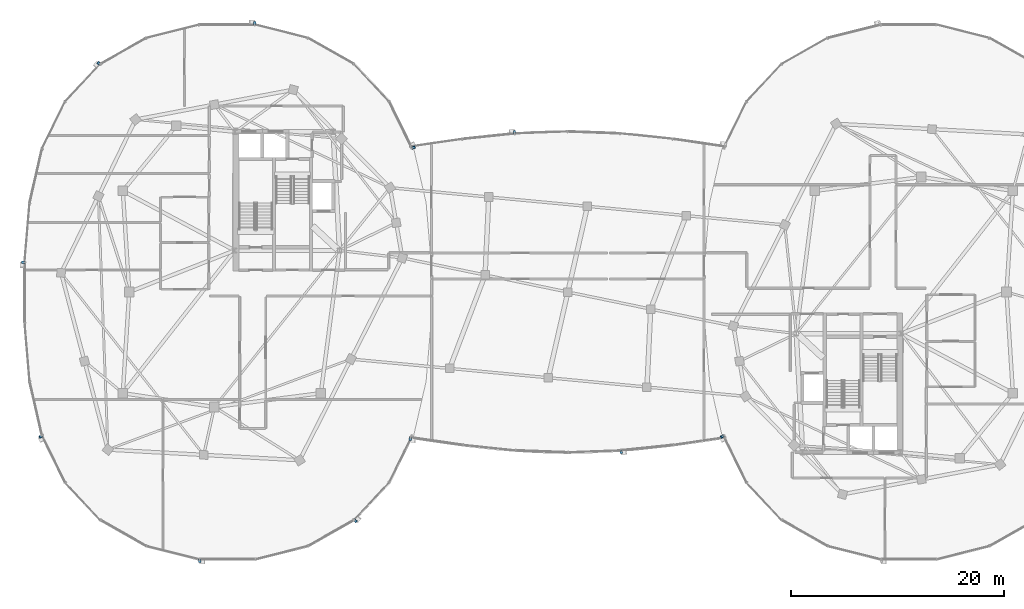
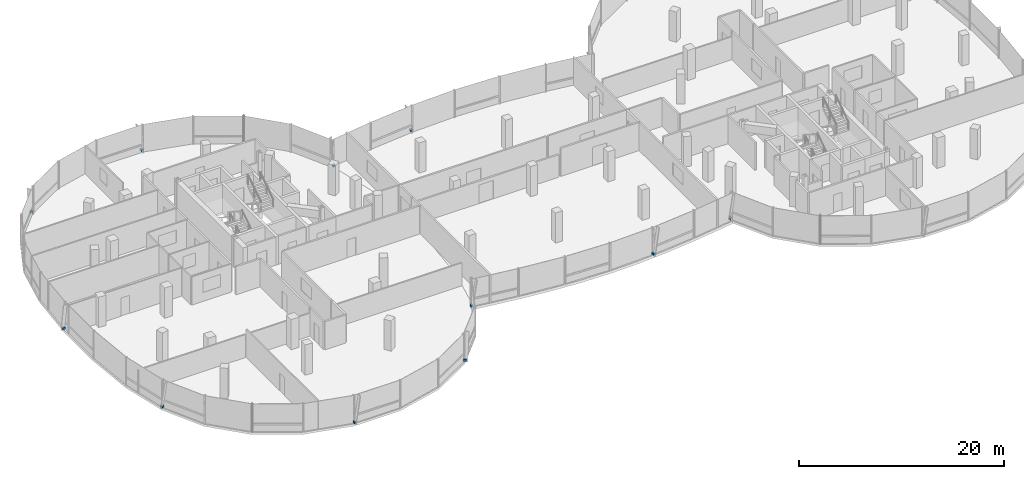
# One storey, part 18 of 25: 11 discrete accessories.
"""IFC4 building model written with IfcOpenShell, lengths in metres."""

from ifc_helpers import new_model, si_unit, direction, frame, origin, origin_2d, place, context, subcontext, project, spatial, rectangle, extrude, material, type_object, element, save


model = new_model("IFC4")

# Units and contexts
model_context = context("Model", 3, precision=1e-05, world=origin(), true_north=direction((0.0, 1.0)))
body_context = subcontext(model_context, "Body", "Model", "MODEL_VIEW")
ifc_project = project(units=[si_unit("LENGTHUNIT", "METRE"), si_unit("AREAUNIT", "SQUARE_METRE"), si_unit("VOLUMEUNIT", "CUBIC_METRE"), si_unit("PLANEANGLEUNIT", "RADIAN"), si_unit("MASSUNIT", "GRAM", prefix="KILO"), si_unit("THERMODYNAMICTEMPERATUREUNIT", "KELVIN"), si_unit("POWERUNIT", "WATT")], contexts=[model_context])

# Site, building, storey
site_placement = place(None, origin())
site = spatial("IfcSite", under=ifc_project, at=site_placement, CompositionType="ELEMENT")
building_placement = place(site_placement, origin())
building = spatial("IfcBuilding", under=site, at=building_placement, Name="Cundina Bronze Exchange", CompositionType="ELEMENT")
storey_placement = place(building_placement, frame((0.0, 0.0, 257.60009765625)))
storey = spatial("IfcBuildingStorey", under=building, at=storey_placement, Name="L68", CompositionType="ELEMENT", Elevation=257.60009765625)

# Discrete accessories
ifc_material = material(Name="Anodised Bronze Aluminium 6063-T6", Category="aluminium")
discrete_accessory_type = type_object("IfcDiscreteAccessoryType", Name="ACC-BRK-FIN", PredefinedType="BRACKET", material=ifc_material)
for number, where, z_axis, x_axis, name in (
    (1, (-14.505126953125, 13.565673828125, 0.10009765625), (0.0, 0.0, 1.0), (-0.440503330345, 0.897750976582, 0.0), "L68 Fin Support Bracket 1"),
    (2, (-29.423583984375, 25.25, 0.10009765625), (0.0, 0.0, 1.0), (-1.0, 0.0, 0.0), "L68 Fin Support Bracket 5"),
    (3, (-44.042236328125, 21.4755859375, 0.10009765625), (0.0, 0.0, 1.0), (-0.684343512797, -0.72915976061, 0.0), "L68 Fin Support Bracket 1"),
    (4, (-51.158935546875, 2.79150390625, 0.10009765625), (0.0, 0.0, 1.0), (0.0, -1.0, 0.0), "L68 Fin Support Bracket 5"),
    (5, (-49.494873046875, -13.565673828125, 0.10009765625), (0.0, 0.0, 1.0), (0.440503330345, -0.897750976582, 0.0), "L68 Fin Support Bracket 1"),
    (6, (-34.576416015625, -25.25, 0.10009765625), (0.0, 0.0, 1.0), (1.0, 0.0, 0.0), "L68 Fin Support Bracket 5"),
    (7, (-19.957763671875, -21.4755859375, 0.10009765625), (0.0, 0.0, 1.0), (0.684343512797, 0.72915976061, 0.0), "L68 Fin Support Bracket 1"),
    (8, (14.505126953125, -13.565673828125, 0.10009765625), (0.0, 0.0, 1.0), (0.440503330345, -0.897750976582, 0.0), "L68 Fin Support Bracket 1"),
    (9, (-14.799560546875, -13.79736328125, 0.10009765625), (0.0, 0.0, 1.0), (0.989528308409, -0.144338930496, 0.0), "L68 Fin Support Bracket 1"),
    (10, (5.003173828125, -15.01953125, 0.10009765625), (0.0, 0.0, 1.0), (0.994672274174, 0.103087666525, 0.0), "L68 Fin Support Bracket 5"),
    (11, (-5.003173828125, 15.01953125, 0.10009765625), (0.0, 0.0, 1.0), (-0.994672274174, -0.103087666525, 0.0), "L68 Fin Support Bracket 5"),
):
    element("IfcDiscreteAccessory", number, at=place(storey_placement, frame(where, z_axis=z_axis, x_axis=x_axis)), inside=storey, type_object=discrete_accessory_type, Name=name, PredefinedType="BRACKET", context=body_context, shape_type="SweptSolid", body=[
        extrude(rectangle(XDim=0.219970703125, YDim=0.320068359375, at=origin_2d()), origin(), (0.0, 0.0, 1.0), 0.239990234375),
    ])

save(model, "model.ifc")
